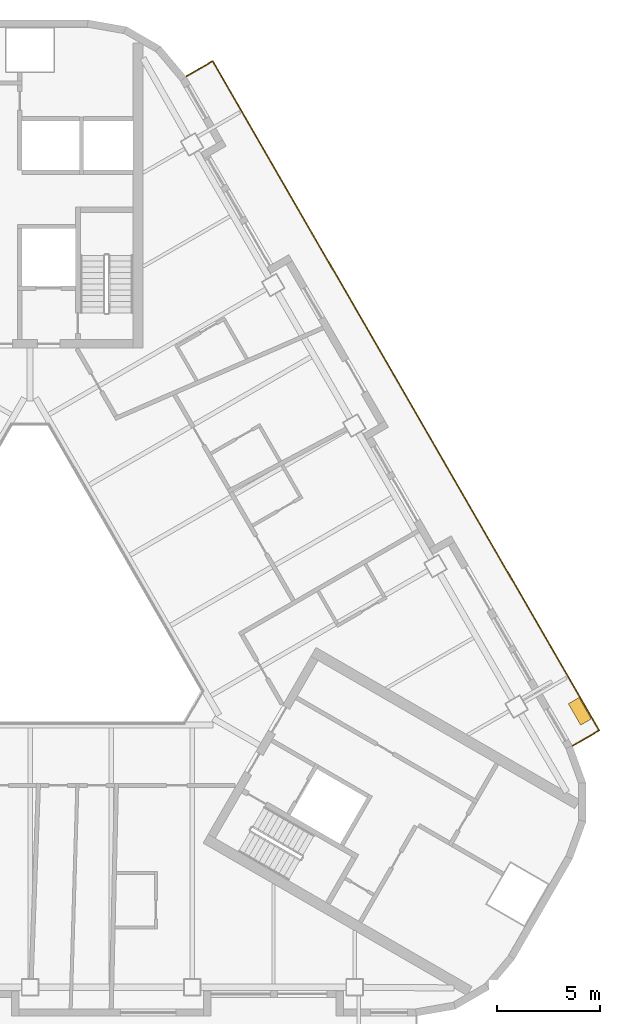
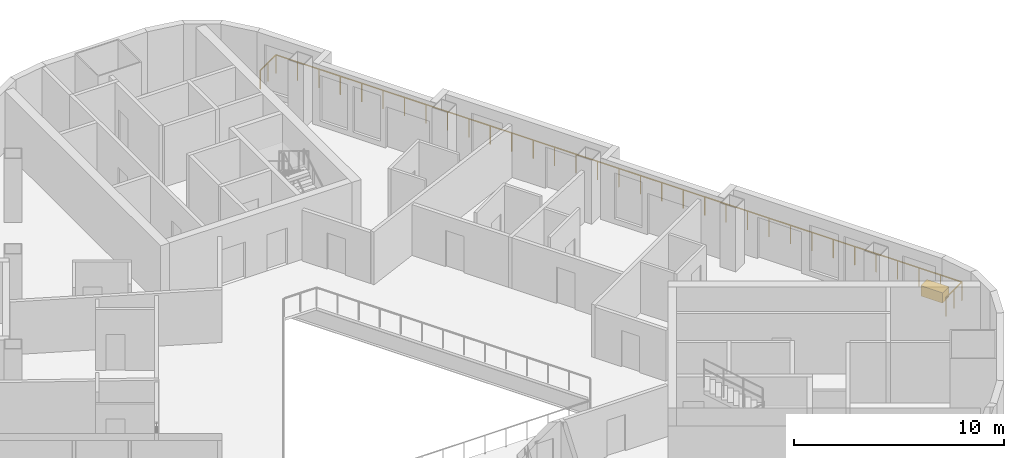
# One storey, part 13 of 14: 1 covering, 1 railing.
"""IFC4 building model written with IfcOpenShell, lengths in metres."""

from ifc_helpers import new_model, si_unit, direction, frame, origin, origin_2d, place, context, subcontext, project, spatial, rectangle, extrude, material, type_object, element, save


model = new_model("IFC4")

# Units and contexts
model_context = context("Model", 3, precision=1e-05, world=origin(), true_north=direction((0.0, 1.0)))
body_context = subcontext(model_context, "Body", "Model", "MODEL_VIEW")
ifc_project = project(units=[si_unit("LENGTHUNIT", "METRE"), si_unit("AREAUNIT", "SQUARE_METRE"), si_unit("VOLUMEUNIT", "CUBIC_METRE"), si_unit("PLANEANGLEUNIT", "RADIAN"), si_unit("MASSUNIT", "GRAM", prefix="KILO")], contexts=[model_context])

# Site, building, storey
site_placement = place(None, origin())
site = spatial("IfcSite", under=ifc_project, at=site_placement, CompositionType="ELEMENT")
building_placement = place(site_placement, origin())
building = spatial("IfcBuilding", under=site, at=building_placement, Name="Apuvela Tower Hotel", CompositionType="ELEMENT")
storey_placement = place(building_placement, frame((0.0, 0.0, 157.699951171875)))
storey = spatial("IfcBuildingStorey", under=building, at=storey_placement, Name="L37", CompositionType="ELEMENT", Elevation=157.699951171875)

# Railing
ifc_material_1 = material(Name="Stainless steel 316 rail with laminated glass infill", Category="steel")
railing_type = type_object("IfcRailingType", Name="ENV-GUARD-1100", PredefinedType="GUARDRAIL", material=ifc_material_1)
railing_placement = place(storey_placement, frame((26.407958984375, -6.47998046875, 0.0)))
element("IfcRailing", 1, at=railing_placement, inside=storey, type_object=railing_type, Name="Balcony guard NE L37", PredefinedType="GUARDRAIL", context=body_context, shape_type="SweptSolid", body=[
    extrude(rectangle(XDim=0.050048828125, YDim=0.050048828125, at=origin_2d()), frame((0.0, 0.0, 1.0751953125), z_axis=(0.866031096941, 0.499990139034, 0.0), x_axis=(-0.499990139034, 0.866031096941, 0.0)), (0.0, 0.0, 1.0), 1.5),
    extrude(rectangle(XDim=0.050048828125, YDim=0.050048828125, at=origin_2d()), frame((1.299072265625, 0.75, 1.0751953125), z_axis=(-0.500000437506, 0.86602515119, 0.0), x_axis=(-0.86602515119, -0.500000437506, 0.0)), (0.0, 0.0, 1.0), 37.6318359375),
    extrude(rectangle(XDim=0.050048828125, YDim=0.050048828125, at=origin_2d()), frame((-17.516845703125, 33.340087890625, 1.0751953125), z_axis=(-0.86599040064, -0.500060622324, 0.0), x_axis=(0.500060622324, -0.86599040064, 0.0)), (0.0, 0.0, 1.0), 1.499755859375),
    extrude(rectangle(XDim=0.0400390625, YDim=0.0400390625, at=origin_2d()), origin(), (0.0, 0.0, 1.0), 1.050048828125),
    extrude(rectangle(XDim=0.0400390625, YDim=0.0400390625, at=origin_2d()), frame((0.6494140625, 0.375, 0.0)), (0.0, 0.0, 1.0), 1.050048828125),
    extrude(rectangle(XDim=0.0400390625, YDim=0.0400390625, at=origin_2d()), frame((1.299072265625, 0.75, 0.0)), (0.0, 0.0, 1.0), 1.050048828125),
    extrude(rectangle(XDim=0.0400390625, YDim=0.0400390625, at=origin_2d()), frame((0.711181640625, 1.7685546875, 0.0)), (0.0, 0.0, 1.0), 1.050048828125),
    extrude(rectangle(XDim=0.0400390625, YDim=0.0400390625, at=origin_2d()), frame((0.123046875, 2.786865234375, 0.0)), (0.0, 0.0, 1.0), 1.050048828125),
    extrude(rectangle(XDim=0.0400390625, YDim=0.0400390625, at=origin_2d()), frame((-0.46484375, 3.805419921875, 0.0)), (0.0, 0.0, 1.0), 1.050048828125),
    extrude(rectangle(XDim=0.0400390625, YDim=0.0400390625, at=origin_2d()), frame((-1.052978515625, 4.82373046875, 0.0)), (0.0, 0.0, 1.0), 1.050048828125),
    extrude(rectangle(XDim=0.0400390625, YDim=0.0400390625, at=origin_2d()), frame((-1.640869140625, 5.84228515625, 0.0)), (0.0, 0.0, 1.0), 1.050048828125),
    extrude(rectangle(XDim=0.0400390625, YDim=0.0400390625, at=origin_2d()), frame((-2.22900390625, 6.860595703125, 0.0)), (0.0, 0.0, 1.0), 1.050048828125),
    extrude(rectangle(XDim=0.0400390625, YDim=0.0400390625, at=origin_2d()), frame((-2.81689453125, 7.879150390625, 0.0)), (0.0, 0.0, 1.0), 1.050048828125),
    extrude(rectangle(XDim=0.0400390625, YDim=0.0400390625, at=origin_2d()), frame((-3.40478515625, 8.8974609375, 0.0)), (0.0, 0.0, 1.0), 1.050048828125),
    extrude(rectangle(XDim=0.0400390625, YDim=0.0400390625, at=origin_2d()), frame((-3.992919921875, 9.916015625, 0.0)), (0.0, 0.0, 1.0), 1.050048828125),
    extrude(rectangle(XDim=0.0400390625, YDim=0.0400390625, at=origin_2d()), frame((-4.580810546875, 10.934326171875, 0.0)), (0.0, 0.0, 1.0), 1.050048828125),
    extrude(rectangle(XDim=0.0400390625, YDim=0.0400390625, at=origin_2d()), frame((-5.1689453125, 11.952880859375, 0.0)), (0.0, 0.0, 1.0), 1.050048828125),
    extrude(rectangle(XDim=0.0400390625, YDim=0.0400390625, at=origin_2d()), frame((-5.7568359375, 12.97119140625, 0.0)), (0.0, 0.0, 1.0), 1.050048828125),
    extrude(rectangle(XDim=0.0400390625, YDim=0.0400390625, at=origin_2d()), frame((-6.344970703125, 13.98974609375, 0.0)), (0.0, 0.0, 1.0), 1.050048828125),
    extrude(rectangle(XDim=0.0400390625, YDim=0.0400390625, at=origin_2d()), frame((-6.932861328125, 15.008056640625, 0.0)), (0.0, 0.0, 1.0), 1.050048828125),
    extrude(rectangle(XDim=0.0400390625, YDim=0.0400390625, at=origin_2d()), frame((-7.52099609375, 16.026611328125, 0.0)), (0.0, 0.0, 1.0), 1.050048828125),
    extrude(rectangle(XDim=0.0400390625, YDim=0.0400390625, at=origin_2d()), frame((-8.10888671875, 17.044921875, 0.0)), (0.0, 0.0, 1.0), 1.050048828125),
    extrude(rectangle(XDim=0.0400390625, YDim=0.0400390625, at=origin_2d()), frame((-8.69677734375, 18.0634765625, 0.0)), (0.0, 0.0, 1.0), 1.050048828125),
    extrude(rectangle(XDim=0.0400390625, YDim=0.0400390625, at=origin_2d()), frame((-9.284912109375, 19.08203125, 0.0)), (0.0, 0.0, 1.0), 1.050048828125),
    extrude(rectangle(XDim=0.0400390625, YDim=0.0400390625, at=origin_2d()), frame((-9.872802734375, 20.100341796875, 0.0)), (0.0, 0.0, 1.0), 1.050048828125),
    extrude(rectangle(XDim=0.0400390625, YDim=0.0400390625, at=origin_2d()), frame((-10.4609375, 21.118896484375, 0.0)), (0.0, 0.0, 1.0), 1.050048828125),
    extrude(rectangle(XDim=0.0400390625, YDim=0.0400390625, at=origin_2d()), frame((-11.048828125, 22.13720703125, 0.0)), (0.0, 0.0, 1.0), 1.050048828125),
    extrude(rectangle(XDim=0.0400390625, YDim=0.0400390625, at=origin_2d()), frame((-11.636962890625, 23.15576171875, 0.0)), (0.0, 0.0, 1.0), 1.050048828125),
    extrude(rectangle(XDim=0.0400390625, YDim=0.0400390625, at=origin_2d()), frame((-12.224853515625, 24.174072265625, 0.0)), (0.0, 0.0, 1.0), 1.050048828125),
    extrude(rectangle(XDim=0.0400390625, YDim=0.0400390625, at=origin_2d()), frame((-12.81298828125, 25.192626953125, 0.0)), (0.0, 0.0, 1.0), 1.050048828125),
    extrude(rectangle(XDim=0.0400390625, YDim=0.0400390625, at=origin_2d()), frame((-13.40087890625, 26.2109375, 0.0)), (0.0, 0.0, 1.0), 1.050048828125),
    extrude(rectangle(XDim=0.0400390625, YDim=0.0400390625, at=origin_2d()), frame((-13.98876953125, 27.2294921875, 0.0)), (0.0, 0.0, 1.0), 1.050048828125),
    extrude(rectangle(XDim=0.0400390625, YDim=0.0400390625, at=origin_2d()), frame((-14.576904296875, 28.247802734375, 0.0)), (0.0, 0.0, 1.0), 1.050048828125),
    extrude(rectangle(XDim=0.0400390625, YDim=0.0400390625, at=origin_2d()), frame((-15.164794921875, 29.266357421875, 0.0)), (0.0, 0.0, 1.0), 1.050048828125),
    extrude(rectangle(XDim=0.0400390625, YDim=0.0400390625, at=origin_2d()), frame((-15.7529296875, 30.28466796875, 0.0)), (0.0, 0.0, 1.0), 1.050048828125),
    extrude(rectangle(XDim=0.0400390625, YDim=0.0400390625, at=origin_2d()), frame((-16.3408203125, 31.30322265625, 0.0)), (0.0, 0.0, 1.0), 1.050048828125),
    extrude(rectangle(XDim=0.0400390625, YDim=0.0400390625, at=origin_2d()), frame((-16.928955078125, 32.321533203125, 0.0)), (0.0, 0.0, 1.0), 1.050048828125),
    extrude(rectangle(XDim=0.0400390625, YDim=0.0400390625, at=origin_2d()), frame((-17.516845703125, 33.340087890625, 0.0)), (0.0, 0.0, 1.0), 1.050048828125),
    extrude(rectangle(XDim=0.0400390625, YDim=0.0400390625, at=origin_2d()), frame((-18.166259765625, 32.965087890625, 0.0)), (0.0, 0.0, 1.0), 1.050048828125),
    extrude(rectangle(XDim=0.0400390625, YDim=0.0400390625, at=origin_2d()), frame((-18.815673828125, 32.590087890625, 0.0)), (0.0, 0.0, 1.0), 1.050048828125),
])

# Covering
ifc_material_2 = material(Name="Planting substrate and soil, planted")
covering_type = type_object("IfcCoveringType", Name="ENV-PLANTER-1200x600", PredefinedType="USERDEFINED", material=ifc_material_2)
covering_placement = place(storey_placement, frame((26.763916015625, -4.79638671875, 0.0), z_axis=(0.0, 0.0, 1.0), x_axis=(-0.5, 0.866025403784, 0.0)))
element("IfcCovering", 2, at=covering_placement, inside=storey, type_object=covering_type, Name="Planter NE3", ObjectType="PLANTER", PredefinedType="USERDEFINED", context=body_context, shape_type="SweptSolid", body=[
    extrude(rectangle(XDim=1.199951171875, YDim=0.60009765625, at=origin_2d()), origin(), (0.0, 0.0, 1.0), 0.60009765625),
])

save(model, "model.ifc")
